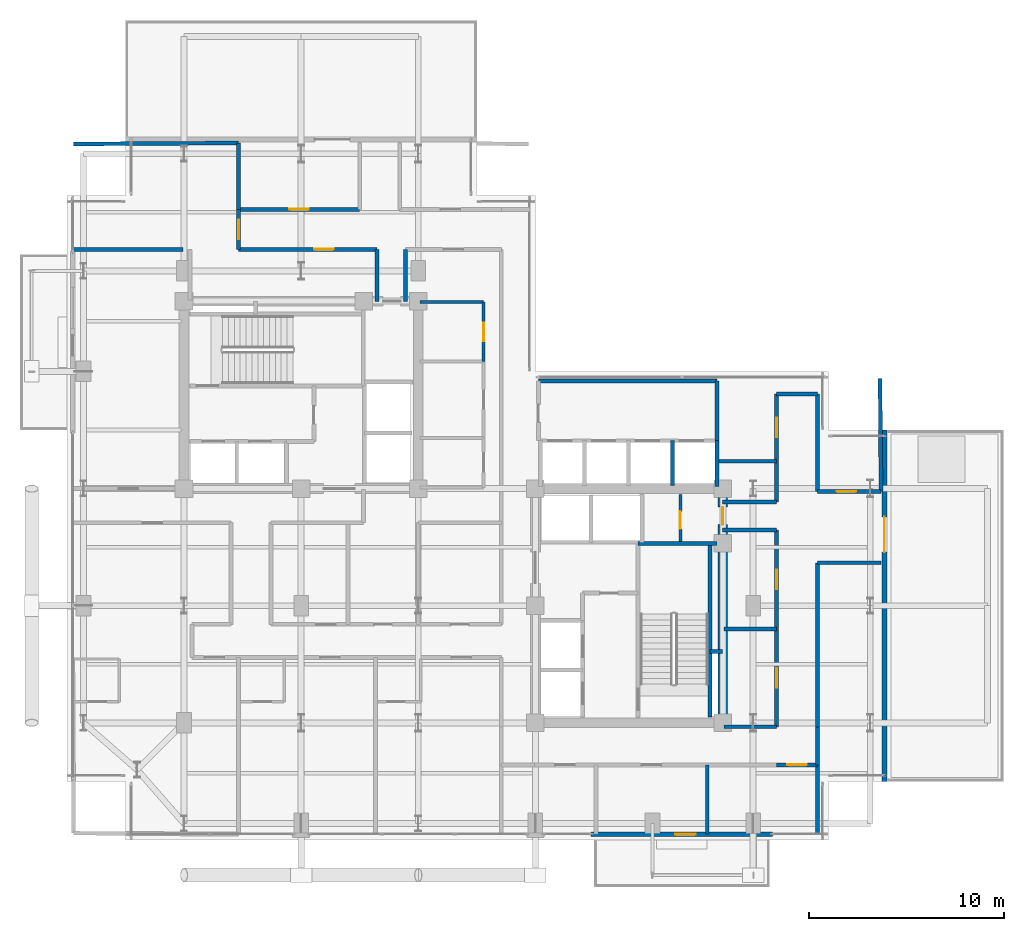
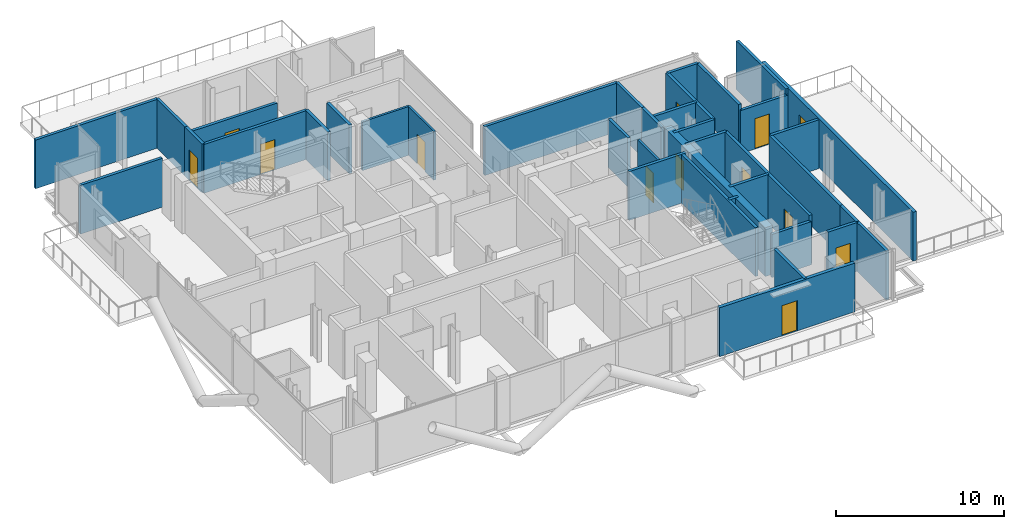
# One storey, part 23 of 28: 38 walls, 13 doors, 13 openings.
"""IFC4 building model written with IfcOpenShell, lengths in metres."""

from ifc_helpers import new_model, si_unit, direction, frame, frame_2d, origin, place, context, subcontext, project, spatial, rectangle, extrude, material, layer, layer_set, type_object, element, fill, save


model = new_model("IFC4")

# Units and contexts
model_context = context("Model", 3, precision=1e-05, world=origin(), true_north=direction((0.0, 1.0)))
body_context = subcontext(model_context, "Body", "Model", "MODEL_VIEW")
ifc_project = project(units=[si_unit("LENGTHUNIT", "METRE"), si_unit("AREAUNIT", "SQUARE_METRE"), si_unit("VOLUMEUNIT", "CUBIC_METRE"), si_unit("PLANEANGLEUNIT", "RADIAN"), si_unit("MASSUNIT", "GRAM", prefix="KILO"), si_unit("THERMODYNAMICTEMPERATUREUNIT", "KELVIN"), si_unit("POWERUNIT", "WATT")], contexts=[model_context])

# Site, building, storey
site_placement = place(None, origin())
site = spatial("IfcSite", under=ifc_project, at=site_placement, CompositionType="ELEMENT")
building_placement = place(site_placement, origin())
building = spatial("IfcBuilding", under=site, at=building_placement, Name="Svarakhadi Broadcast Tower", CompositionType="ELEMENT")
storey_placement = place(building_placement, frame((0.0, 0.0, 169.199951171875)))
storey = spatial("IfcBuildingStorey", under=building, at=storey_placement, Name="L41", CompositionType="ELEMENT", Elevation=169.199951171875)

# Wall, openings, doors
ifc_material_1 = material(Name="Double-Stud Acoustic Studio Partition STC-62", Category="gypsum")
ifc_layer_1 = layer(ifc_material_1, 0.199951171875)
ifc_layer_set_1 = layer_set([ifc_layer_1], Name="Double-Stud Acoustic Studio Partition STC-62")
wall_type_1 = type_object("IfcWallType", Name="Wall_Acoust_200", PredefinedType="PARTITIONING", material=ifc_layer_set_1)
wall_1_placement = place(storey_placement, frame((36.35009765625, 5.800048828125, 0.0), z_axis=(0.0, 0.0, 1.0), x_axis=(0.0, 1.0, 0.0)))
wall_1 = element("IfcWall", 1, at=wall_1_placement, inside=storey, type_object=wall_type_1, Name="L41 Zone 2/3 Corridor Wall", PredefinedType="PARTITIONING", context=body_context, shape_type="SweptSolid", body=[
    extrude(rectangle(XDim=10.079833984375, YDim=0.199951171875, at=frame_2d((5.0400390625, 0.0))), origin(), (0.0, 0.0, 1.0), 3.5400390625),
])
opening_1_placement = place(wall_1_placement, frame((2.0, 0.0, 0.0)))
opening_1 = element("IfcOpeningElement", 2, at=opening_1_placement, cuts=wall_1, Name="Opening D-08", PredefinedType="OPENING", context=body_context, shape_type="SweptSolid", body=[
    extrude(rectangle(XDim=1.0, YDim=2.199951171875, at=frame_2d((0.5, 1.10009765625))), frame((0.0, 0.10986328125, 0.0), z_axis=(0.0, -1.0, 0.0), x_axis=(1.0, 0.0, 0.0)), (0.0, 0.0, 1.0), 0.219970703125),
])
opening_2_placement = place(wall_1_placement, frame((7.0400390625, 0.0, 0.0)))
opening_2 = element("IfcOpeningElement", 3, at=opening_2_placement, cuts=wall_1, Name="Opening D-09", PredefinedType="OPENING", context=body_context, shape_type="SweptSolid", body=[
    extrude(rectangle(XDim=1.0, YDim=2.199951171875, at=frame_2d((0.5, 1.10009765625))), frame((0.0, 0.10986328125, 0.0), z_axis=(0.0, -1.0, 0.0), x_axis=(1.0, 0.0, 0.0)), (0.0, 0.0, 1.0), 0.219970703125),
])
ifc_material_2 = material(Name="Solid-Core Teak Veneer Acoustic Timber Leaf", Category="wood")
door_type_1 = type_object("IfcDoorType", Name="Door_Suite_D08", OperationType="SINGLE_SWING_LEFT", PredefinedType="DOOR", material=ifc_material_2)
door_1_placement = place(opening_1_placement, origin())
door_1 = element("IfcDoor", 4, at=door_1_placement, inside=storey, type_object=door_type_1, Name="L41 Sommelier Wine Tasting Room Door", OperationType="SINGLE_SWING_LEFT", OverallHeight=2.199951171875, OverallWidth=1.0, PredefinedType="DOOR", context=body_context, shape_type="SweptSolid", body=[
    extrude(rectangle(XDim=1.0, YDim=2.199951171875, at=frame_2d((0.5, 1.10009765625))), frame((0.0, 0.02490234375, 0.0), z_axis=(0.0, -1.0, 0.0), x_axis=(1.0, 0.0, 0.0)), (0.0, 0.0, 1.0), 0.050048828125),
])
fill(opening_1, door_1)
door_type_2 = type_object("IfcDoorType", Name="Door_Suite_D09", OperationType="SINGLE_SWING_RIGHT", PredefinedType="DOOR", material=ifc_material_2)
door_2_placement = place(opening_2_placement, origin())
door_2 = element("IfcDoor", 5, at=door_2_placement, inside=storey, type_object=door_type_2, Name="L41 VIP Cigar Lounge Door", OperationType="SINGLE_SWING_RIGHT", OverallHeight=2.199951171875, OverallWidth=1.0, PredefinedType="DOOR", context=body_context, shape_type="SweptSolid", body=[
    extrude(rectangle(XDim=1.0, YDim=2.199951171875, at=frame_2d((0.5, 1.10009765625))), frame((0.0, 0.02490234375, 0.0), z_axis=(0.0, -1.0, 0.0), x_axis=(1.0, 0.0, 0.0)), (0.0, 0.0, 1.0), 0.050048828125),
])
fill(opening_2, door_2)

# Walls
for number, where, z_axis, x_axis, name in (
    (6, (36.35009765625, 15.8798828125, 0.0), (0.0, 0.0, 1.0), (-1.0, 0.0, 0.0), "L41 Zone 2/3 Corridor Wall"),
    (7, (33.580078125, 17.320068359375, 0.0), (0.0, 0.0, 1.0), (1.0, 0.0, 0.0), "L41 Zone 2/3 Corridor Wall"),
):
    element("IfcWall", number, at=place(storey_placement, frame(where, z_axis=z_axis, x_axis=x_axis)), inside=storey, type_object=wall_type_1, Name=name, PredefinedType="PARTITIONING", context=body_context, shape_type="SweptSolid", body=[
        extrude(rectangle(XDim=2.77001953125, YDim=0.199951171875, at=frame_2d((1.385009765625, 0.0))), origin(), (0.0, 0.0, 1.0), 3.5400390625),
    ])

# Wall, opening, door
wall_2_placement = place(storey_placement, frame((36.35009765625, 17.320068359375, 0.0), z_axis=(0.0, 0.0, 1.0), x_axis=(0.0, 1.0, 0.0)))
wall_2 = element("IfcWall", 8, at=wall_2_placement, inside=storey, type_object=wall_type_1, Name="L41 Zone 2/3 Corridor Wall", PredefinedType="PARTITIONING", context=body_context, shape_type="SweptSolid", body=[
    extrude(rectangle(XDim=5.530029296875, YDim=0.199951171875, at=frame_2d((2.76513671875, 0.0))), origin(), (0.0, 0.0, 1.0), 3.5400390625),
])
opening_3_placement = place(wall_2_placement, frame((3.304931640625, 0.0, 0.0)))
opening_3 = element("IfcOpeningElement", 9, at=opening_3_placement, cuts=wall_2, Name="Opening D-08", PredefinedType="OPENING", context=body_context, shape_type="SweptSolid", body=[
    extrude(rectangle(XDim=1.0, YDim=2.199951171875, at=frame_2d((0.5, 1.10009765625))), frame((0.0, 0.10986328125, 0.0), z_axis=(0.0, -1.0, 0.0), x_axis=(1.0, 0.0, 0.0)), (0.0, 0.0, 1.0), 0.219970703125),
])
door_3_placement = place(opening_3_placement, origin())
door_3 = element("IfcDoor", 10, at=door_3_placement, inside=storey, type_object=door_type_1, Name="L41 Harbour Sunset Reading Lounge Door", OperationType="SINGLE_SWING_LEFT", OverallHeight=2.199951171875, OverallWidth=1.0, PredefinedType="DOOR", context=body_context, shape_type="SweptSolid", body=[
    extrude(rectangle(XDim=1.0, YDim=2.199951171875, at=frame_2d((0.5, 1.10009765625))), frame((0.0, 0.02490234375, 0.0), z_axis=(0.0, -1.0, 0.0), x_axis=(1.0, 0.0, 0.0)), (0.0, 0.0, 1.0), 0.050048828125),
])
fill(opening_3, door_3)

# Walls
wall_3_placement = place(storey_placement, frame((36.35009765625, 22.85009765625, 0.0), z_axis=(0.0, 0.0, 1.0), x_axis=(1.0, 0.0, 0.0)))
element("IfcWall", 11, at=wall_3_placement, inside=storey, type_object=wall_type_1, Name="L41 Zone 2/3 Corridor Wall", PredefinedType="PARTITIONING", context=body_context, shape_type="SweptSolid", body=[
    extrude(rectangle(XDim=2.099853515625, YDim=0.199951171875, at=frame_2d((1.0498046875, 0.0))), origin(), (0.0, 0.0, 1.0), 3.5400390625),
])
wall_4_placement = place(storey_placement, frame((38.449951171875, 22.85009765625, 0.0), z_axis=(0.0, 0.0, 1.0), x_axis=(0.0, -1.0, 0.0)))
element("IfcWall", 12, at=wall_4_placement, inside=storey, type_object=wall_type_1, Name="L41 Zone 2/3 Corridor Wall", PredefinedType="PARTITIONING", context=body_context, shape_type="SweptSolid", body=[
    extrude(rectangle(XDim=5.0, YDim=0.199951171875, at=frame_2d((2.5, 0.0))), origin(), (0.0, 0.0, 1.0), 3.5400390625),
])

# Wall, opening, door
wall_5_placement = place(storey_placement, frame((38.449951171875, 17.85009765625, 0.0), z_axis=(0.0, 0.0, 1.0), x_axis=(1.0, 0.0, 0.0)))
wall_5 = element("IfcWall", 13, at=wall_5_placement, inside=storey, type_object=wall_type_1, Name="L41 Zone 2/3 Corridor Wall", PredefinedType="PARTITIONING", context=body_context, shape_type="SweptSolid", body=[
    extrude(rectangle(XDim=3.25, YDim=0.199951171875, at=frame_2d((1.625, 0.0))), origin(), (0.0, 0.0, 1.0), 3.132080078125),
])
opening_4_placement = place(wall_5_placement, frame((0.97998046875, 0.0, 0.0)))
opening_4 = element("IfcOpeningElement", 14, at=opening_4_placement, cuts=wall_5, Name="Opening D-08", PredefinedType="OPENING", context=body_context, shape_type="SweptSolid", body=[
    extrude(rectangle(XDim=1.0, YDim=2.199951171875, at=frame_2d((0.5, 1.10009765625))), frame((0.0, 0.10986328125, 0.0), z_axis=(0.0, -1.0, 0.0), x_axis=(1.0, 0.0, 0.0)), (0.0, 0.0, 1.0), 0.219970703125),
])
door_4_placement = place(opening_4_placement, origin())
door_4 = element("IfcDoor", 15, at=door_4_placement, inside=storey, type_object=door_type_1, Name="L41 Hotel Harbour Panorama Suite Door", OperationType="SINGLE_SWING_LEFT", OverallHeight=2.199951171875, OverallWidth=1.0, PredefinedType="DOOR", context=body_context, shape_type="SweptSolid", body=[
    extrude(rectangle(XDim=1.0, YDim=2.199951171875, at=frame_2d((0.5, 1.10009765625))), frame((0.0, 0.02490234375, 0.0), z_axis=(0.0, -1.0, 0.0), x_axis=(1.0, 0.0, 0.0)), (0.0, 0.0, 1.0), 0.050048828125),
])
fill(opening_4, door_4)

# Walls
wall_6_placement = place(storey_placement, frame((41.699951171875, 14.199951171875, 0.0), z_axis=(0.0, 0.0, 1.0), x_axis=(-1.0, 0.0, 0.0)))
element("IfcWall", 16, at=wall_6_placement, inside=storey, type_object=wall_type_1, Name="L41 Zone 2/3 Corridor Wall", PredefinedType="PARTITIONING", context=body_context, shape_type="SweptSolid", body=[
    extrude(rectangle(XDim=3.25, YDim=0.199951171875, at=frame_2d((1.625, 0.0))), origin(), (0.0, 0.0, 1.0), 3.5400390625),
])
wall_7_placement = place(storey_placement, frame((38.449951171875, 14.199951171875, 0.0), z_axis=(0.0, 0.0, 1.0), x_axis=(0.0, -1.0, 0.0)))
element("IfcWall", 17, at=wall_7_placement, inside=storey, type_object=wall_type_1, Name="L41 Zone 2/3 Corridor Wall", PredefinedType="PARTITIONING", context=body_context, shape_type="SweptSolid", body=[
    extrude(rectangle(XDim=8.39990234375, YDim=0.199951171875, at=frame_2d((4.199951171875, 0.0))), origin(), (0.0, 0.0, 1.0), 3.5400390625),
])
wall_8_placement = place(storey_placement, frame((38.449951171875, 5.800048828125, 0.0), z_axis=(0.0, 0.0, 1.0), x_axis=(0.0, -1.0, 0.0)))
element("IfcWall", 18, at=wall_8_placement, inside=storey, type_object=wall_type_1, Name="L41 Zone 2/3 Corridor Wall", PredefinedType="PARTITIONING", context=body_context, shape_type="SweptSolid", body=[
    extrude(rectangle(XDim=1.949951171875, YDim=0.199951171875, at=frame_2d((0.97509765625, 0.0))), origin(), (0.0, 0.0, 1.0), 3.5400390625),
])

# Wall, opening, door
wall_9_placement = place(storey_placement, frame((38.449951171875, 3.85009765625, 0.0), z_axis=(0.0, 0.0, 1.0), x_axis=(-1.0, 0.0, 0.0)))
wall_9 = element("IfcWall", 19, at=wall_9_placement, inside=storey, type_object=wall_type_1, Name="L41 Zone 2/3 Corridor Wall", PredefinedType="PARTITIONING", context=body_context, shape_type="SweptSolid", body=[
    extrude(rectangle(XDim=2.099853515625, YDim=0.199951171875, at=frame_2d((1.0498046875, 0.0))), origin(), (0.0, 0.0, 1.0), 3.5400390625),
])
opening_5_placement = place(wall_9_placement, frame((0.550048828125, 0.0, 0.0)))
opening_5 = element("IfcOpeningElement", 20, at=opening_5_placement, cuts=wall_9, Name="Opening D-08", PredefinedType="OPENING", context=body_context, shape_type="SweptSolid", body=[
    extrude(rectangle(XDim=1.0, YDim=2.199951171875, at=frame_2d((0.5, 1.10009765625))), frame((0.0, 0.10986328125, 0.0), z_axis=(0.0, -1.0, 0.0), x_axis=(1.0, 0.0, 0.0)), (0.0, 0.0, 1.0), 0.219970703125),
])
door_5_placement = place(opening_5_placement, origin())
door_5 = element("IfcDoor", 21, at=door_5_placement, inside=storey, type_object=door_type_1, Name="L41 Artisanal Espresso Bar Door", OperationType="SINGLE_SWING_LEFT", OverallHeight=2.199951171875, OverallWidth=1.0, PredefinedType="DOOR", context=body_context, shape_type="SweptSolid", body=[
    extrude(rectangle(XDim=1.0, YDim=2.199951171875, at=frame_2d((0.5, 1.10009765625))), frame((0.0, 0.02490234375, 0.0), z_axis=(0.0, -1.0, 0.0), x_axis=(1.0, 0.0, 0.0)), (0.0, 0.0, 1.0), 0.050048828125),
])
fill(opening_5, door_5)

# Walls
for number, where, z_axis, x_axis, name in (
    (22, (17.35009765625, 30.25, 0.0), (0.0, 0.0, 1.0), (0.0, -1.0, 0.0), "L41 Zone 2/3 Corridor Wall"),
    (23, (15.8798828125, 27.580078125, 0.0), (0.0, 0.0, 1.0), (0.0, 1.0, 0.0), "L41 Zone 2/3 Corridor Wall"),
):
    element("IfcWall", number, at=place(storey_placement, frame(where, z_axis=z_axis, x_axis=x_axis)), inside=storey, type_object=wall_type_1, Name=name, PredefinedType="PARTITIONING", context=body_context, shape_type="SweptSolid", body=[
        extrude(rectangle(XDim=2.669921875, YDim=0.199951171875, at=frame_2d((1.3349609375, 0.0))), origin(), (0.0, 0.0, 1.0), 3.5400390625),
    ])

# Wall, opening, door
wall_10_placement = place(storey_placement, frame((15.8798828125, 30.25, 0.0), z_axis=(0.0, 0.0, 1.0), x_axis=(-1.0, 0.0, 0.0)))
wall_10 = element("IfcWall", 24, at=wall_10_placement, inside=storey, type_object=wall_type_1, Name="L41 Zone 2/3 Corridor Wall", PredefinedType="PARTITIONING", context=body_context, shape_type="SweptSolid", body=[
    extrude(rectangle(XDim=7.079833984375, YDim=0.199951171875, at=frame_2d((3.5400390625, 0.0))), origin(), (0.0, 0.0, 1.0), 3.5400390625),
])
opening_6_placement = place(wall_10_placement, frame((2.2099609375, 0.0, 0.0)))
opening_6 = element("IfcOpeningElement", 25, at=opening_6_placement, cuts=wall_10, Name="Opening D-08", PredefinedType="OPENING", context=body_context, shape_type="SweptSolid", body=[
    extrude(rectangle(XDim=1.0, YDim=2.199951171875, at=frame_2d((0.5, 1.10009765625))), frame((0.0, 0.10986328125, 0.0), z_axis=(0.0, -1.0, 0.0), x_axis=(1.0, 0.0, 0.0)), (0.0, 0.0, 1.0), 0.219970703125),
])
door_6_placement = place(opening_6_placement, origin())
door_6 = element("IfcDoor", 26, at=door_6_placement, inside=storey, type_object=door_type_1, Name="L41 Guest Library Study Door", OperationType="SINGLE_SWING_LEFT", OverallHeight=2.199951171875, OverallWidth=1.0, PredefinedType="DOOR", context=body_context, shape_type="SweptSolid", body=[
    extrude(rectangle(XDim=1.0, YDim=2.199951171875, at=frame_2d((0.5, 1.10009765625))), frame((0.0, 0.02490234375, 0.0), z_axis=(0.0, -1.0, 0.0), x_axis=(1.0, 0.0, 0.0)), (0.0, 0.0, 1.0), 0.050048828125),
])
fill(opening_6, door_6)

wall_11_placement = place(storey_placement, frame((8.800048828125, 30.25, 0.0), z_axis=(0.0, 0.0, 1.0), x_axis=(0.0, 1.0, 0.0)))
wall_11 = element("IfcWall", 27, at=wall_11_placement, inside=storey, type_object=wall_type_1, Name="L41 Zone 2/3 Corridor Wall", PredefinedType="PARTITIONING", context=body_context, shape_type="SweptSolid", body=[
    extrude(rectangle(XDim=2.050048828125, YDim=0.199951171875, at=frame_2d((1.02490234375, 0.0))), origin(), (0.0, 0.0, 1.0), 3.5400390625),
])
opening_7_placement = place(wall_11_placement, frame((0.52490234375, 0.0, 0.0)))
opening_7 = element("IfcOpeningElement", 28, at=opening_7_placement, cuts=wall_11, Name="Opening D-08", PredefinedType="OPENING", context=body_context, shape_type="SweptSolid", body=[
    extrude(rectangle(XDim=1.0, YDim=2.199951171875, at=frame_2d((0.5, 1.10009765625))), frame((0.0, 0.10986328125, 0.0), z_axis=(0.0, -1.0, 0.0), x_axis=(1.0, 0.0, 0.0)), (0.0, 0.0, 1.0), 0.219970703125),
])
door_7_placement = place(opening_7_placement, origin())
door_7 = element("IfcDoor", 29, at=door_7_placement, inside=storey, type_object=door_type_1, Name="L41 Skyline Club Reading and Horizon Lounge Door", OperationType="SINGLE_SWING_LEFT", OverallHeight=2.199951171875, OverallWidth=1.0, PredefinedType="DOOR", context=body_context, shape_type="SweptSolid", body=[
    extrude(rectangle(XDim=1.0, YDim=2.199951171875, at=frame_2d((0.5, 1.10009765625))), frame((0.0, 0.02490234375, 0.0), z_axis=(0.0, -1.0, 0.0), x_axis=(1.0, 0.0, 0.0)), (0.0, 0.0, 1.0), 0.050048828125),
])
fill(opening_7, door_7)

wall_12_placement = place(storey_placement, frame((8.800048828125, 32.300048828125, 0.0), z_axis=(0.0, 0.0, 1.0), x_axis=(1.0, 0.0, 0.0)))
wall_12 = element("IfcWall", 30, at=wall_12_placement, inside=storey, type_object=wall_type_1, Name="L41 Zone 2/3 Corridor Wall", PredefinedType="PARTITIONING", context=body_context, shape_type="SweptSolid", body=[
    extrude(rectangle(XDim=6.199951171875, YDim=0.199951171875, at=frame_2d((3.10009765625, 0.0))), origin(), (0.0, 0.0, 1.0), 3.132080078125),
])
opening_8_placement = place(wall_12_placement, frame((2.60009765625, 0.0, 0.0)))
opening_8 = element("IfcOpeningElement", 31, at=opening_8_placement, cuts=wall_12, Name="Opening D-09", PredefinedType="OPENING", context=body_context, shape_type="SweptSolid", body=[
    extrude(rectangle(XDim=1.0, YDim=2.199951171875, at=frame_2d((0.5, 1.10009765625))), frame((0.0, 0.10986328125, 0.0), z_axis=(0.0, -1.0, 0.0), x_axis=(1.0, 0.0, 0.0)), (0.0, 0.0, 1.0), 0.219970703125),
])
door_8_placement = place(opening_8_placement, origin())
door_8 = element("IfcDoor", 32, at=door_8_placement, inside=storey, type_object=door_type_2, Name="L41 Hotel Concierge Study Door", OperationType="SINGLE_SWING_RIGHT", OverallHeight=2.199951171875, OverallWidth=1.0, PredefinedType="DOOR", context=body_context, shape_type="SweptSolid", body=[
    extrude(rectangle(XDim=1.0, YDim=2.199951171875, at=frame_2d((0.5, 1.10009765625))), frame((0.0, 0.02490234375, 0.0), z_axis=(0.0, -1.0, 0.0), x_axis=(1.0, 0.0, 0.0)), (0.0, 0.0, 1.0), 0.050048828125),
])
fill(opening_8, door_8)

# Walls
wall_13_placement = place(storey_placement, frame((0.300048828125, 30.25, 0.0), z_axis=(0.0, 0.0, 1.0), x_axis=(1.0, 0.0, 0.0)))
element("IfcWall", 33, at=wall_13_placement, inside=storey, type_object=wall_type_1, Name="L41 Sea-View Panorama Club Salon Wall", PredefinedType="PARTITIONING", context=body_context, shape_type="SweptSolid", body=[
    extrude(rectangle(XDim=5.64990234375, YDim=0.199951171875, at=frame_2d((2.824951171875, 0.0))), origin(), (0.0, 0.0, 1.0), 3.5400390625),
])
for number, where, z_axis, x_axis, name in (
    (34, (32.800048828125, 0.300048828125, 0.0), (0.0, 0.0, 1.0), (0.0, 1.0, 0.0), "L41 Private Dining Salon Wall"),
    (35, (38.449951171875, 0.300048828125, 0.0), (0.0, 0.0, 1.0), (0.0, 1.0, 0.0), "L41 Artisanal Espresso Bar Wall"),
):
    element("IfcWall", number, at=place(storey_placement, frame(where, z_axis=z_axis, x_axis=x_axis)), inside=storey, type_object=wall_type_1, Name=name, PredefinedType="PARTITIONING", context=body_context, shape_type="SweptSolid", body=[
        extrude(rectangle(XDim=3.550048828125, YDim=0.199951171875, at=frame_2d((1.77490234375, 0.0))), origin(), (0.0, 0.0, 1.0), 3.5400390625),
    ])
wall_14_placement = place(storey_placement, frame((33.64990234375, 5.800048828125, 0.0), z_axis=(0.0, 0.0, 1.0), x_axis=(1.0, 0.0, 0.0)))
element("IfcWall", 36, at=wall_14_placement, inside=storey, type_object=wall_type_1, Name="L41 Sommelier Wine Tasting Room Wall", PredefinedType="PARTITIONING", context=body_context, shape_type="SweptSolid", body=[
    extrude(rectangle(XDim=2.7001953125, YDim=0.199951171875, at=frame_2d((1.35009765625, 0.0))), origin(), (0.0, 0.0, 1.0), 3.132080078125),
])
wall_15_placement = place(storey_placement, frame((33.64990234375, 10.800048828125, 0.0), z_axis=(0.0, 0.0, 1.0), x_axis=(1.0, 0.0, 0.0)))
element("IfcWall", 37, at=wall_15_placement, inside=storey, type_object=wall_type_1, Name="L41 Sommelier Wine Tasting Room Wall", PredefinedType="PARTITIONING", context=body_context, shape_type="SweptSolid", body=[
    extrude(rectangle(XDim=2.7001953125, YDim=0.199951171875, at=frame_2d((1.35009765625, 0.0))), origin(), (0.0, 0.0, 1.0), 3.5400390625),
])
wall_16_placement = place(storey_placement, frame((41.699951171875, 17.85009765625, 0.0), z_axis=(0.0, 0.0, 1.0), x_axis=(-0.008629077606, 0.999962768817, 0.0)))
element("IfcWall", 38, at=wall_16_placement, inside=storey, type_object=wall_type_1, Name="L41 Hotel Harbour Panorama Suite Wall", PredefinedType="PARTITIONING", context=body_context, shape_type="SweptSolid", body=[
    extrude(rectangle(XDim=5.800048828125, YDim=0.199951171875, at=frame_2d((2.89990234375, 0.0))), origin(), (0.0, 0.0, 1.0), 3.5400390625),
])
wall_17_placement = place(storey_placement, frame((33.35009765625, 19.39990234375, 0.0), z_axis=(0.0, 0.0, 1.0), x_axis=(1.0, 0.0, 0.0)))
element("IfcWall", 39, at=wall_17_placement, inside=storey, type_object=wall_type_1, Name="L41 Harbour Sunset Reading Lounge Wall", PredefinedType="PARTITIONING", context=body_context, shape_type="SweptSolid", body=[
    extrude(rectangle(XDim=3.0, YDim=0.199951171875, at=frame_2d((1.5, 0.0))), origin(), (0.0, 0.0, 1.0), 3.5400390625),
])
wall_18_placement = place(storey_placement, frame((0.35009765625, 35.64990234375, 0.0), z_axis=(0.0, 0.0, 1.0), x_axis=(0.99998245966, 0.005922868574, 0.0)))
element("IfcWall", 40, at=wall_18_placement, inside=storey, type_object=wall_type_1, Name="L41 Skyline Club Reading and Horizon Lounge Wall", PredefinedType="PARTITIONING", context=body_context, shape_type="SweptSolid", body=[
    extrude(rectangle(XDim=8.4501953125, YDim=0.199951171875, at=frame_2d((4.22509765625, 0.0))), origin(), (0.0, 0.0, 1.0), 3.5400390625),
])
wall_19_placement = place(storey_placement, frame((8.800048828125, 32.300048828125, 0.0), z_axis=(0.0, 0.0, 1.0), x_axis=(0.0, 1.0, 0.0)))
element("IfcWall", 41, at=wall_19_placement, inside=storey, type_object=wall_type_1, Name="L41 Hotel Concierge Study Wall", PredefinedType="PARTITIONING", context=body_context, shape_type="SweptSolid", body=[
    extrude(rectangle(XDim=3.39990234375, YDim=0.199951171875, at=frame_2d((1.699951171875, 0.0))), origin(), (0.0, 0.0, 1.0), 3.5400390625),
])

# Wall, opening, door
ifc_material_3 = material(Name="Concrete C40/50 (IS 456 M50)", Category="concrete")
ifc_layer_2 = layer(ifc_material_3, 0.239990234375)
ifc_layer_set_2 = layer_set([ifc_layer_2], Name="Concrete C40/50 (IS 456 M50)")
wall_type_2 = type_object("IfcWallType", Name="Wall_Ext_240", PredefinedType="SOLIDWALL", material=ifc_layer_set_2)
wall_20_placement = place(storey_placement, frame((36.14501953125, 0.300048828125, 0.0), z_axis=(0.0, 0.0, 1.0), x_axis=(-1.0, 0.0, 0.0)))
wall_20 = element("IfcWall", 42, at=wall_20_placement, inside=storey, type_object=wall_type_2, Name="L41 South Tree Balcony Spandrel Wall", PredefinedType="SOLIDWALL", context=body_context, shape_type="SweptSolid", body=[
    extrude(rectangle(XDim=9.2900390625, YDim=0.239990234375, at=frame_2d((4.64501953125, 0.0))), origin(), (0.0, 0.0, 1.0), 3.5400390625),
])
opening_9_placement = place(wall_20_placement, frame((3.945068359375, 0.0, 0.0)))
opening_9 = element("IfcOpeningElement", 43, at=opening_9_placement, cuts=wall_20, Name="Opening ED-05", PredefinedType="OPENING", context=body_context, shape_type="SweptSolid", body=[
    extrude(rectangle(XDim=1.050048828125, YDim=2.199951171875, at=frame_2d((0.52490234375, 1.10009765625))), frame((0.0, 0.1298828125, 0.0), z_axis=(0.0, -1.0, 0.0), x_axis=(1.0, 0.0, 0.0)), (0.0, 0.0, 1.0), 0.260009765625),
])
ifc_material_4 = material(Name="Anodised Bronze Aluminium AA 6063-T6", Category="aluminium")
door_type_3 = type_object("IfcDoorType", Name="Door_Ext_ED05", OperationType="SINGLE_SWING_LEFT", PredefinedType="DOOR", material=ifc_material_4)
door_9_placement = place(opening_9_placement, origin())
door_9 = element("IfcDoor", 44, at=door_9_placement, inside=storey, type_object=door_type_3, Name="L41 South Tree Balcony Door", OperationType="SINGLE_SWING_LEFT", OverallHeight=2.199951171875, OverallWidth=1.050048828125, PredefinedType="DOOR", context=body_context, shape_type="SweptSolid", body=[
    extrude(rectangle(XDim=1.050048828125, YDim=2.199951171875, at=frame_2d((0.52490234375, 1.10009765625))), frame((0.0, 0.02490234375, 0.0), z_axis=(0.0, -1.0, 0.0), x_axis=(1.0, 0.0, 0.0)), (0.0, 0.0, 1.0), 0.050048828125),
])
fill(opening_9, door_9)

wall_21_placement = place(storey_placement, frame((41.8798828125, 21.0, 0.0), z_axis=(0.0, 0.0, 1.0), x_axis=(0.0, -1.0, 0.0)))
wall_21 = element("IfcWall", 45, at=wall_21_placement, inside=storey, type_object=wall_type_2, Name="L41 East Setback Terrace Access Wall", PredefinedType="SOLIDWALL", context=body_context, shape_type="SweptSolid", body=[
    extrude(rectangle(XDim=18.0, YDim=0.239990234375, at=frame_2d((9.0, 0.0))), origin(), (0.0, 0.0, 1.0), 3.5400390625),
])
opening_10_placement = place(wall_21_placement, frame((4.449951171875, 0.0, 0.0)))
opening_10 = element("IfcOpeningElement", 46, at=opening_10_placement, cuts=wall_21, Name="Opening ED-02", PredefinedType="OPENING", context=body_context, shape_type="SweptSolid", body=[
    extrude(rectangle(XDim=1.800048828125, YDim=2.39990234375, at=frame_2d((0.89990234375, 1.199951171875))), frame((0.0, 0.1298828125, 0.0), z_axis=(0.0, -1.0, 0.0), x_axis=(1.0, 0.0, 0.0)), (0.0, 0.0, 1.0), 0.260009765625),
])
door_type_4 = type_object("IfcDoorType", Name="Door_Ext_ED02", OperationType="DOUBLE_DOOR_SINGLE_SWING", PredefinedType="DOOR", material=ifc_material_4)
door_10_placement = place(opening_10_placement, origin())
door_10 = element("IfcDoor", 47, at=door_10_placement, inside=storey, type_object=door_type_4, Name="L41 East Setback Terrace Door", OperationType="DOUBLE_DOOR_SINGLE_SWING", OverallHeight=2.39990234375, OverallWidth=1.800048828125, PredefinedType="DOOR", context=body_context, shape_type="SweptSolid", body=[
    extrude(rectangle(XDim=1.800048828125, YDim=2.39990234375, at=frame_2d((0.89990234375, 1.199951171875))), frame((0.0, 0.02490234375, 0.0), z_axis=(0.0, -1.0, 0.0), x_axis=(1.0, 0.0, 0.0)), (0.0, 0.0, 1.0), 0.050048828125),
])
fill(opening_10, door_10)

# Wall
ifc_layer_3 = layer(ifc_material_3, 0.199951171875)
ifc_layer_set_3 = layer_set([ifc_layer_3], Name="Concrete C40/50 (IS 456 M50)")
wall_type_3 = type_object("IfcWallType", Name="Wall_Fire_200", PredefinedType="SOLIDWALL", material=ifc_layer_set_3)
wall_22_placement = place(storey_placement, frame((32.93994140625, 9.659912109375, 0.0), z_axis=(0.0, 0.0, 1.0), x_axis=(1.0, 0.0, 0.0)))
element("IfcWall", 48, at=wall_22_placement, inside=storey, type_object=wall_type_3, Name="L41 HV Busduct Riser Shaft North Wall", PredefinedType="SOLIDWALL", context=body_context, shape_type="SweptSolid", body=[
    extrude(rectangle(XDim=0.64013671875, YDim=0.199951171875, at=frame_2d((0.320068359375, 0.0))), origin(), (0.0, 0.0, 1.0), 3.5400390625),
])

# Wall, opening, door
ifc_material_5 = material(Name="Autoclaved Aerated Concrete Blockwork 150 mm", Category="masonry")
ifc_layer_4 = layer(ifc_material_5, 0.14990234375)
ifc_layer_set_4 = layer_set([ifc_layer_4], Name="Autoclaved Aerated Concrete Blockwork 150 mm")
wall_type_4 = type_object("IfcWallType", Name="Wall_Part_150", PredefinedType="PARTITIONING", material=ifc_layer_set_4)
wall_23_placement = place(storey_placement, frame((31.419921875, 15.280029296875, 0.0), z_axis=(0.0, 0.0, 1.0), x_axis=(0.0, 1.0, 0.0)))
wall_23 = element("IfcWall", 49, at=wall_23_placement, inside=storey, type_object=wall_type_4, Name="L41 Core Service Split Wall", PredefinedType="PARTITIONING", context=body_context, shape_type="SweptSolid", body=[
    extrude(rectangle(XDim=2.419921875, YDim=0.14990234375, at=frame_2d((1.2099609375, 0.0))), origin(), (0.0, 0.0, 1.0), 3.5400390625),
])
opening_11_placement = place(wall_23_placement, frame((0.64990234375, 0.0, 0.0)))
opening_11 = element("IfcOpeningElement", 50, at=opening_11_placement, cuts=wall_23, Name="Opening D-03", PredefinedType="OPENING", context=body_context, shape_type="SweptSolid", body=[
    extrude(rectangle(XDim=0.89990234375, YDim=2.14990234375, at=frame_2d((0.449951171875, 1.074951171875))), frame((0.0, 0.0849609375, 0.0), z_axis=(0.0, -1.0, 0.0), x_axis=(1.0, 0.0, 0.0)), (0.0, 0.0, 1.0), 0.169921875),
])
ifc_material_6 = material(Name="Galvanised Powder-Coated Fire-Rated Steel Leaf", Category="steel")
door_type_5 = type_object("IfcDoorType", Name="Door_Fire_D03", OperationType="SINGLE_SWING_LEFT", PredefinedType="DOOR", material=ifc_material_6)
door_11_placement = place(opening_11_placement, origin())
door_11 = element("IfcDoor", 51, at=door_11_placement, inside=storey, type_object=door_type_5, Name="L41 Core Inner Riser Store Door", OperationType="SINGLE_SWING_LEFT", OverallHeight=2.14990234375, OverallWidth=0.89990234375, PredefinedType="DOOR", context=body_context, shape_type="SweptSolid", body=[
    extrude(rectangle(XDim=0.89990234375, YDim=2.14990234375, at=frame_2d((0.449951171875, 1.074951171875))), frame((0.0, 0.02490234375, 0.0), z_axis=(0.0, -1.0, 0.0), x_axis=(1.0, 0.0, 0.0)), (0.0, 0.0, 1.0), 0.050048828125),
])
fill(opening_11, door_11)

# Wall
wall_24_placement = place(storey_placement, frame((18.10009765625, 27.550048828125, 0.0), z_axis=(0.0, 0.0, 1.0), x_axis=(1.0, 0.0, 0.0)))
element("IfcWall", 52, at=wall_24_placement, inside=storey, type_object=wall_type_4, Name="L41 Guest Concierge Valet Office Wall", PredefinedType="PARTITIONING", context=body_context, shape_type="SweptSolid", body=[
    extrude(rectangle(XDim=3.25, YDim=0.14990234375, at=frame_2d((1.625, 0.0))), origin(), (0.0, 0.0, 1.0), 3.5400390625),
])

# Wall, opening, door
wall_25_placement = place(storey_placement, frame((21.35009765625, 24.5, 0.0), z_axis=(0.0, 0.0, 1.0), x_axis=(0.0, 1.0, 0.0)))
wall_25 = element("IfcWall", 53, at=wall_25_placement, inside=storey, type_object=wall_type_4, Name="L41 Guest Concierge Valet Office Wall", PredefinedType="PARTITIONING", context=body_context, shape_type="SweptSolid", body=[
    extrude(rectangle(XDim=3.050048828125, YDim=0.14990234375, at=frame_2d((1.52490234375, 0.0))), origin(), (0.0, 0.0, 1.0), 3.5400390625),
])
opening_12_placement = place(wall_25_placement, frame((1.050048828125, 0.0, 0.0)))
opening_12 = element("IfcOpeningElement", 54, at=opening_12_placement, cuts=wall_25, Name="Opening D-07", PredefinedType="OPENING", context=body_context, shape_type="SweptSolid", body=[
    extrude(rectangle(XDim=0.949951171875, YDim=2.14990234375, at=frame_2d((0.47509765625, 1.074951171875))), frame((0.0, 0.0849609375, 0.0), z_axis=(0.0, -1.0, 0.0), x_axis=(1.0, 0.0, 0.0)), (0.0, 0.0, 1.0), 0.169921875),
])
door_type_6 = type_object("IfcDoorType", Name="Door_Office_D07", OperationType="SINGLE_SWING_RIGHT", PredefinedType="DOOR", material=ifc_material_2)
door_12_placement = place(opening_12_placement, origin())
door_12 = element("IfcDoor", 55, at=door_12_placement, inside=storey, type_object=door_type_6, Name="L41 Guest Concierge Valet Office Door", OperationType="SINGLE_SWING_RIGHT", OverallHeight=2.14990234375, OverallWidth=0.949951171875, PredefinedType="DOOR", context=body_context, shape_type="SweptSolid", body=[
    extrude(rectangle(XDim=0.949951171875, YDim=2.14990234375, at=frame_2d((0.47509765625, 1.074951171875))), frame((0.0, 0.02490234375, 0.0), z_axis=(0.0, -1.0, 0.0), x_axis=(1.0, 0.0, 0.0)), (0.0, 0.0, 1.0), 0.050048828125),
])
fill(opening_12, door_12)

# Walls
ifc_material_7 = material(Name="Concrete C50/60 (IS 456 M60)", Category="concrete")
ifc_layer_5 = layer(ifc_material_7, 0.199951171875)
ifc_layer_set_5 = layer_set([ifc_layer_5], Name="Concrete C50/60 (IS 456 M60)")
wall_type_5 = type_object("IfcWallType", Name="Wall_Shear_200", PredefinedType="SHEAR", material=ifc_layer_set_5)
wall_26_placement = place(storey_placement, frame((32.93994140625, 6.300048828125, 0.0), z_axis=(0.0, 0.0, 1.0), x_axis=(0.0, 1.0, 0.0)))
element("IfcWall", 56, at=wall_26_placement, inside=storey, type_object=wall_type_5, Name="L41 Stair ST-02 East RC Shaft Wall", PredefinedType="SHEAR", context=body_context, shape_type="SweptSolid", body=[
    extrude(rectangle(XDim=8.8798828125, YDim=0.199951171875, at=frame_2d((4.43994140625, 0.0))), origin(), (0.0, 0.0, 1.0), 3.5400390625),
])
wall_27_placement = place(storey_placement, frame((29.260009765625, 15.179931640625, 0.0), z_axis=(0.0, 0.0, 1.0), x_axis=(1.0, 0.0, 0.0)))
element("IfcWall", 57, at=wall_27_placement, inside=storey, type_object=wall_type_5, Name="L41 Stair ST-02 North RC Shaft Wall", PredefinedType="SHEAR", context=body_context, shape_type="SweptSolid", body=[
    extrude(rectangle(XDim=4.0400390625, YDim=0.199951171875, at=frame_2d((2.02001953125, 0.0))), origin(), (0.0, 0.0, 1.0), 3.5400390625),
])
wall_28_placement = place(storey_placement, frame((33.300048828125, 18.10009765625, 0.0), z_axis=(0.0, 0.0, 1.0), x_axis=(0.0, 1.0, 0.0)))
element("IfcWall", 58, at=wall_28_placement, inside=storey, type_object=wall_type_5, Name="L41 Bank B East Shaft Wall", PredefinedType="SHEAR", context=body_context, shape_type="SweptSolid", body=[
    extrude(rectangle(XDim=2.349853515625, YDim=0.199951171875, at=frame_2d((1.1748046875, 0.0))), origin(), (0.0, 0.0, 1.0), 3.5400390625),
])
wall_29_placement = place(storey_placement, frame((31.02001953125, 18.14990234375, 0.0), z_axis=(0.0, 0.0, 1.0), x_axis=(0.0, 1.0, 0.0)))
element("IfcWall", 59, at=wall_29_placement, inside=storey, type_object=wall_type_5, Name="L41 Bank B Divider", PredefinedType="SHEAR", context=body_context, shape_type="SweptSolid", body=[
    extrude(rectangle(XDim=2.300048828125, YDim=0.199951171875, at=frame_2d((1.14990234375, 0.0))), origin(), (0.0, 0.0, 1.0), 3.5400390625),
])
wall_30_placement = place(storey_placement, frame((24.14990234375, 23.5, 0.0), z_axis=(0.0, 0.0, 1.0), x_axis=(1.0, 0.0, 0.0)))
element("IfcWall", 60, at=wall_30_placement, inside=storey, type_object=wall_type_5, Name="L41 Bank B Lift Hall North Wall", PredefinedType="SHEAR", context=body_context, shape_type="SweptSolid", body=[
    extrude(rectangle(XDim=9.150146484375, YDim=0.199951171875, at=frame_2d((4.5751953125, 0.0))), origin(), (0.0, 0.0, 1.0), 3.5400390625),
])
wall_31_placement = place(storey_placement, frame((33.300048828125, 20.449951171875, 0.0), z_axis=(0.0, 0.0, 1.0), x_axis=(0.0, 1.0, 0.0)))
element("IfcWall", 61, at=wall_31_placement, inside=storey, type_object=wall_type_5, Name="L41 Bank B Lift Hall East Wall", PredefinedType="SHEAR", context=body_context, shape_type="SweptSolid", body=[
    extrude(rectangle(XDim=3.050048828125, YDim=0.199951171875, at=frame_2d((1.52490234375, 0.0))), origin(), (0.0, 0.0, 1.0), 3.5400390625),
])

# Wall, opening, door
ifc_layer_6 = layer(ifc_material_7, 0.5)
ifc_layer_set_6 = layer_set([ifc_layer_6], Name="Concrete C50/60 (IS 456 M60)")
wall_type_6 = type_object("IfcWallType", Name="Wall_Shear_500", PredefinedType="SHEAR", material=ifc_layer_set_6)
wall_32_placement = place(storey_placement, frame((33.60009765625, 6.0, 0.0), z_axis=(0.0, 0.0, 1.0), x_axis=(0.0, 1.0, 0.0)))
wall_32 = element("IfcWall", 62, at=wall_32_placement, inside=storey, type_object=wall_type_6, Name="L41 East Core East Shear Wall", PredefinedType="SHEAR", context=body_context, shape_type="SweptSolid", body=[
    extrude(rectangle(XDim=12.0, YDim=0.5, at=frame_2d((6.0, 0.0))), origin(), (0.0, 0.0, 1.0), 3.5400390625),
])
opening_13_placement = place(wall_32_placement, frame((10.14990234375, 0.0, 0.0)))
opening_13 = element("IfcOpeningElement", 63, at=opening_13_placement, cuts=wall_32, Name="Opening D-04", PredefinedType="OPENING", context=body_context, shape_type="SweptSolid", body=[
    extrude(rectangle(XDim=0.89990234375, YDim=2.14990234375, at=frame_2d((0.449951171875, 1.074951171875))), frame((0.0, 0.260009765625, 0.0), z_axis=(0.0, -1.0, 0.0), x_axis=(1.0, 0.0, 0.0)), (0.0, 0.0, 1.0), 0.52001953125),
])
door_type_7 = type_object("IfcDoorType", Name="Door_Fire_D04", OperationType="SINGLE_SWING_RIGHT", PredefinedType="DOOR", material=ifc_material_6)
door_13_placement = place(opening_13_placement, origin())
door_13 = element("IfcDoor", 64, at=door_13_placement, inside=storey, type_object=door_type_7, Name="L41 Core Outer Service Store Door", OperationType="SINGLE_SWING_RIGHT", OverallHeight=2.14990234375, OverallWidth=0.89990234375, PredefinedType="DOOR", context=body_context, shape_type="SweptSolid", body=[
    extrude(rectangle(XDim=0.89990234375, YDim=2.14990234375, at=frame_2d((0.449951171875, 1.074951171875))), frame((0.0, 0.02490234375, 0.0), z_axis=(0.0, -1.0, 0.0), x_axis=(1.0, 0.0, 0.0)), (0.0, 0.0, 1.0), 0.050048828125),
])
fill(opening_13, door_13)

save(model, "model.ifc")
